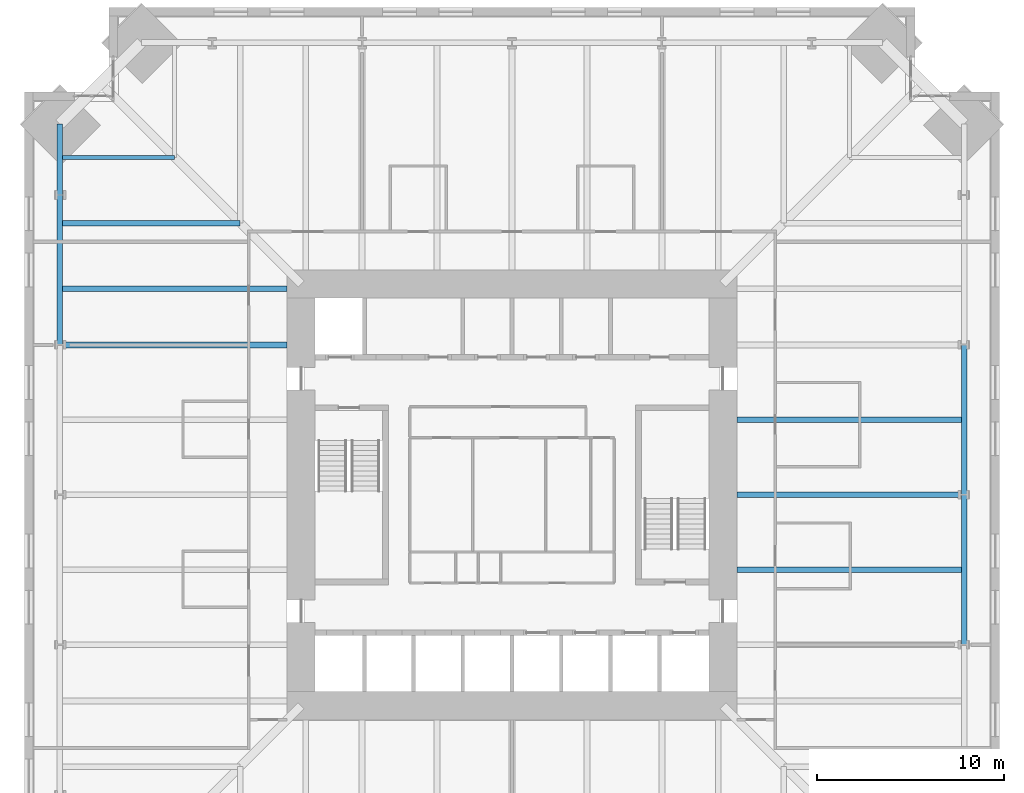
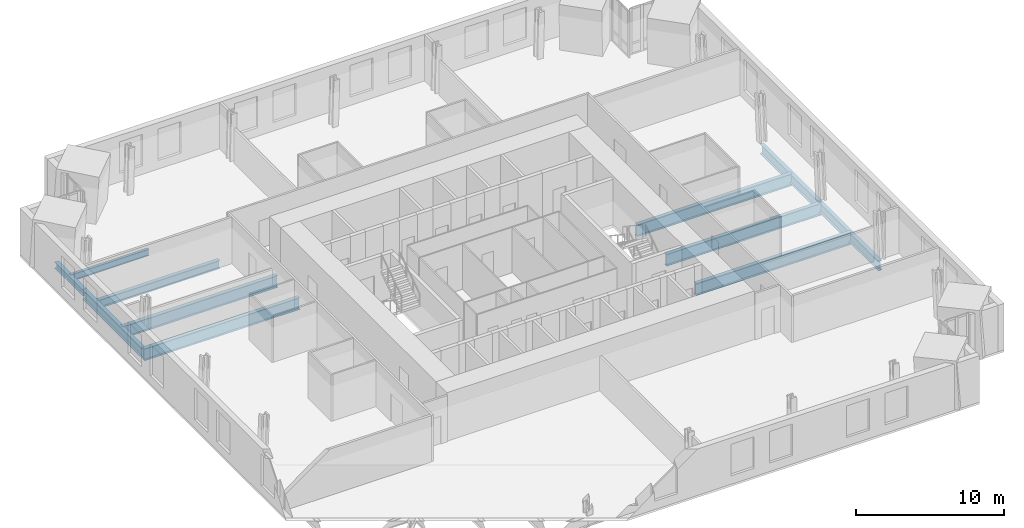
# One storey, part 5 of 18: 11 beams.
"""IFC4 building model written with IfcOpenShell, lengths in metres."""

from ifc_helpers import new_model, si_unit, direction, frame, origin, origin_2d, place, context, subcontext, project, spatial, i_section, extrude, material, material_profile, profile_set, type_object, element, save


model = new_model("IFC4")

# Units and contexts
model_context = context("Model", 3, precision=1e-05, world=origin(), true_north=direction((0.0, 1.0)))
body_context = subcontext(model_context, "Body", "Model", "MODEL_VIEW")
ifc_project = project(units=[si_unit("LENGTHUNIT", "METRE"), si_unit("AREAUNIT", "SQUARE_METRE"), si_unit("VOLUMEUNIT", "CUBIC_METRE"), si_unit("PLANEANGLEUNIT", "RADIAN"), si_unit("MASSUNIT", "GRAM", prefix="KILO")], contexts=[model_context])

# Site, building, storey
site_placement = place(None, origin())
site = spatial("IfcSite", under=ifc_project, at=site_placement, CompositionType="ELEMENT")
building_placement = place(site_placement, origin())
building = spatial("IfcBuilding", under=site, at=building_placement, Name="Peilmerk Tower", CompositionType="ELEMENT")
storey_placement = place(building_placement, frame((0.0, 0.0, 167.800048828125)))
storey = spatial("IfcBuildingStorey", under=building, at=storey_placement, Name="L35", CompositionType="ELEMENT", Elevation=167.800048828125)

# Beams
ifc_material = material(Name="Steel S355", Category="steel")
ifc_material_profile_1 = material_profile(ifc_material, i_section(OverallWidth=0.2099609375, OverallDepth=0.550048828125, WebThickness=0.010986328125, FlangeThickness=0.01708984375, at=origin_2d()), Name="IPE 550")
ifc_profile_set_1 = profile_set([ifc_material_profile_1], Name="Steel S355")
beam_type_1 = type_object("IfcBeamType", Name="B12 IPE 550 floor beam", PredefinedType="BEAM", material=ifc_profile_set_1)
beam_1_placement = place(storey_placement, frame((-18.0, 18.0, -0.445068359375), z_axis=(-1.0, 0.0, 0.0), x_axis=(0.0, -1.0, 0.0)))
element("IfcBeam", 1, at=beam_1_placement, inside=storey, type_object=beam_type_1, Name="Floor beam L35", PredefinedType="BEAM", context=body_context, shape_type="SweptSolid", body=[
    extrude(i_section(OverallWidth=0.2099609375, OverallDepth=0.550048828125, WebThickness=0.010986328125, FlangeThickness=0.01708984375, at=origin_2d()), origin(), (0.0, 0.0, 1.0), 6.130615234375),
])
ifc_material_profile_2 = material_profile(ifc_material, i_section(OverallWidth=0.300048828125, OverallDepth=0.989990234375, WebThickness=0.0166015625, FlangeThickness=0.031005859375, at=origin_2d()), Name="HEA 1000")
ifc_profile_set_2 = profile_set([ifc_material_profile_2], Name="Steel S355")
beam_type_2 = type_object("IfcBeamType", Name="B14 HEA 1000 floor girder", PredefinedType="BEAM", material=ifc_profile_set_2)
for number, where, z_axis, x_axis, name in (
    (2, (12.0, -4.0, -0.6650390625), (1.0, 0.0, 0.0), (0.0, 1.0, 0.0), "Floor beam L35"),
    (3, (12.0, 0.0, -0.6650390625), (1.0, 0.0, 0.0), (0.0, 1.0, 0.0), "Floor beam L35"),
    (4, (12.0, 4.0, -0.6650390625), (1.0, 0.0, 0.0), (0.0, 1.0, 0.0), "Floor beam L35"),
    (5, (-12.0, 11.0, -0.6650390625), (-1.0, 0.0, 0.0), (0.0, -1.0, 0.0), "Floor beam L35"),
    (6, (-12.0, 8.0, -0.6650390625), (-1.0, 0.0, 0.0), (0.0, -1.0, 0.0), "Floor beam L35"),
):
    element("IfcBeam", number, at=place(storey_placement, frame(where, z_axis=z_axis, x_axis=x_axis)), inside=storey, type_object=beam_type_2, Name=name, PredefinedType="BEAM", context=body_context, shape_type="SweptSolid", body=[
        extrude(i_section(OverallWidth=0.300048828125, OverallDepth=0.989990234375, WebThickness=0.0166015625, FlangeThickness=0.031005859375, at=origin_2d()), origin(), (0.0, 0.0, 1.0), 12.130615234375),
    ])
ifc_material_profile_3 = material_profile(ifc_material, i_section(OverallWidth=0.302978515625, OverallDepth=0.81396484375, WebThickness=0.02099609375, FlangeThickness=0.0400390625, at=origin_2d()), Name="HEM 800")
ifc_profile_set_3 = profile_set([ifc_material_profile_3], Name="Steel S355")
beam_type_3 = type_object("IfcBeamType", Name="B15 HEM 800 edge beam", PredefinedType="SPANDREL", material=ifc_profile_set_3)
for number, where, z_axis, x_axis, name in (
    (7, (24.130615234375, -8.0, -0.5771484375), (0.0, 1.0, 0.0), (-1.0, 0.0, 0.0), "Edge beam L35"),
    (8, (24.130615234375, 0.0, -0.5771484375), (0.0, 1.0, 0.0), (-1.0, 0.0, 0.0), "Edge beam L35"),
    (9, (-24.130615234375, 16.0, -0.5771484375), (0.0, -1.0, 0.0), (1.0, 0.0, 0.0), "Edge beam L35"),
):
    element("IfcBeam", number, at=place(storey_placement, frame(where, z_axis=z_axis, x_axis=x_axis)), inside=storey, type_object=beam_type_3, Name=name, PredefinedType="SPANDREL", context=body_context, shape_type="SweptSolid", body=[
        extrude(i_section(OverallWidth=0.302978515625, OverallDepth=0.81396484375, WebThickness=0.02099609375, FlangeThickness=0.0400390625, at=origin_2d()), origin(), (0.0, 0.0, 1.0), 8.0),
    ])
ifc_material_profile_4 = material_profile(ifc_material, i_section(OverallWidth=0.300048828125, OverallDepth=0.68994140625, WebThickness=0.014404296875, FlangeThickness=0.027099609375, at=origin_2d()), Name="HEA 700")
ifc_profile_set_4 = profile_set([ifc_material_profile_4], Name="Steel S355")
beam_type_4 = type_object("IfcBeamType", Name="B16 HEA 700 floor beam", PredefinedType="BEAM", material=ifc_profile_set_4)
beam_2_placement = place(storey_placement, frame((-14.5, 14.5, -0.51513671875), z_axis=(-1.0, 0.0, 0.0), x_axis=(0.0, -1.0, 0.0)))
element("IfcBeam", 10, at=beam_2_placement, inside=storey, type_object=beam_type_4, Name="Floor beam L35", PredefinedType="BEAM", context=body_context, shape_type="SweptSolid", body=[
    extrude(i_section(OverallWidth=0.300048828125, OverallDepth=0.68994140625, WebThickness=0.014404296875, FlangeThickness=0.027099609375, at=origin_2d()), origin(), (0.0, 0.0, 1.0), 9.630615234375),
])
ifc_material_profile_5 = material_profile(ifc_material, i_section(OverallWidth=0.305908203125, OverallDepth=0.52392578125, WebThickness=0.02099609375, FlangeThickness=0.0400390625, at=origin_2d()), Name="HEM 500")
ifc_profile_set_5 = profile_set([ifc_material_profile_5], Name="Steel S355")
beam_type_5 = type_object("IfcBeamType", Name="B33 HEM 500 edge beam", PredefinedType="SPANDREL", material=ifc_profile_set_5)
beam_3_placement = place(storey_placement, frame((-24.130615234375, 19.78076171875, -0.43212890625), z_axis=(0.0, -1.0, 0.0), x_axis=(1.0, 0.0, 0.0)))
element("IfcBeam", 11, at=beam_3_placement, inside=storey, type_object=beam_type_5, Name="Edge beam L35", PredefinedType="SPANDREL", context=body_context, shape_type="SweptSolid", body=[
    extrude(i_section(OverallWidth=0.305908203125, OverallDepth=0.52392578125, WebThickness=0.02099609375, FlangeThickness=0.0400390625, at=origin_2d()), origin(), (0.0, 0.0, 1.0), 3.78076171875),
])

save(model, "model.ifc")
